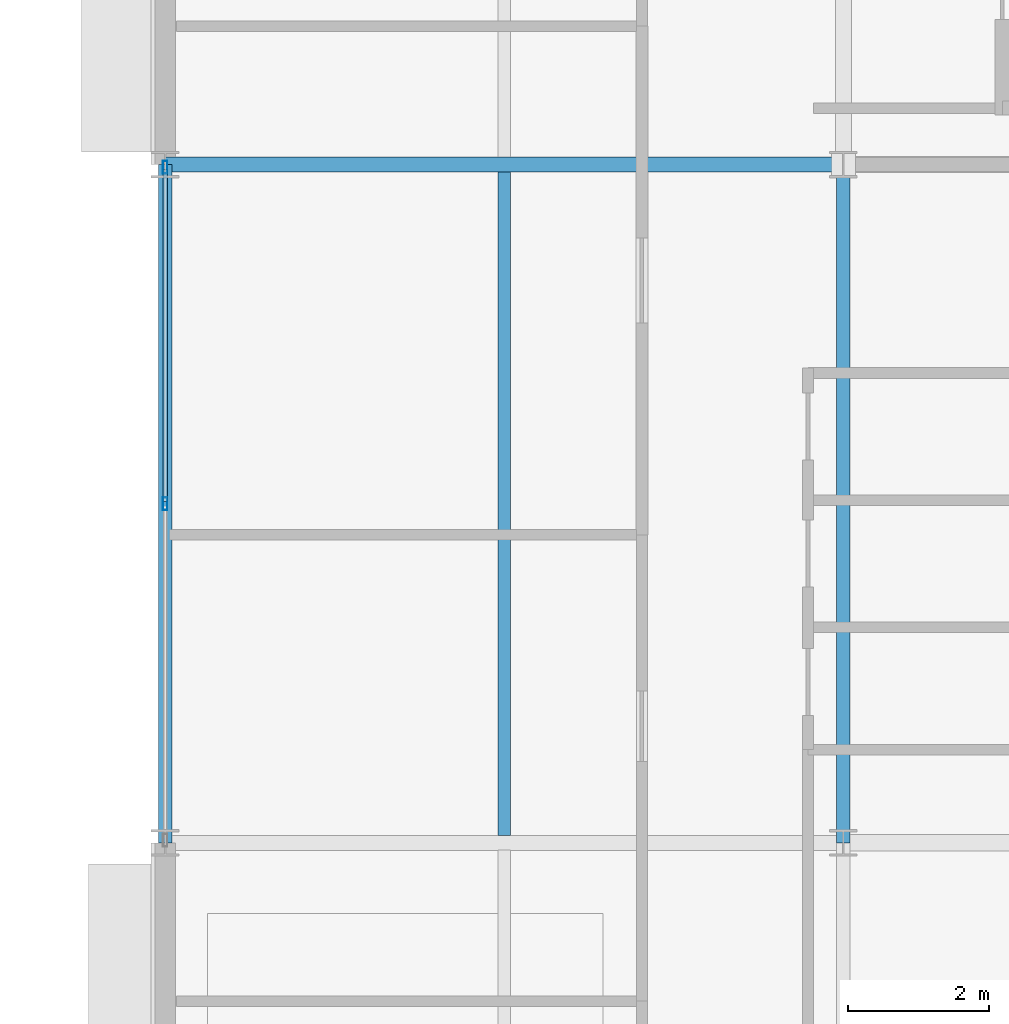
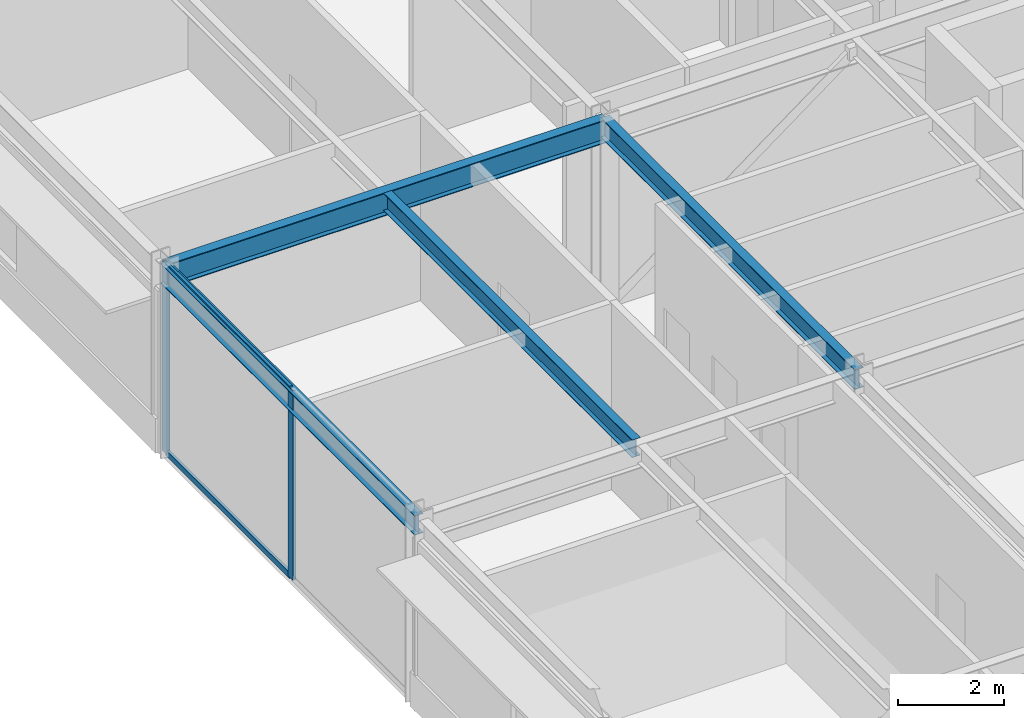
# One storey, part 71 of 116: 4 beams, 4 members, 1 element without a shape of its own.
"""IFC4 building model written with IfcOpenShell, lengths in metres."""

from ifc_helpers import new_model, si_unit, direction, frame, origin, origin_2d, place, context, subcontext, project, spatial, hollow_rectangle, i_section, extrude, material, material_profile, profile_set, type_object, element, aggregate, save


model = new_model("IFC4")

# Units and contexts
model_context = context("Model", 3, precision=1e-05, world=origin(), true_north=direction((0.0, 1.0)))
body_context = subcontext(model_context, "Body", "Model", "MODEL_VIEW")
ifc_project = project(units=[si_unit("LENGTHUNIT", "METRE"), si_unit("AREAUNIT", "SQUARE_METRE"), si_unit("VOLUMEUNIT", "CUBIC_METRE"), si_unit("PLANEANGLEUNIT", "RADIAN"), si_unit("MASSUNIT", "GRAM", prefix="KILO")], contexts=[model_context])

# Site, building, storey
site_placement = place(None, origin())
site = spatial("IfcSite", under=ifc_project, at=site_placement, CompositionType="ELEMENT")
building_placement = place(site_placement, origin())
building = spatial("IfcBuilding", under=site, at=building_placement, Name="Almandine Court Research Institute", CompositionType="ELEMENT")
storey_placement = place(building_placement, frame((0.0, 0.0, 14.35009765625)))
storey = spatial("IfcBuildingStorey", under=building, at=storey_placement, Name="L03", CompositionType="ELEMENT", Elevation=14.35009765625)

# Beams
ifc_material_1 = material(Name="Steel ASTM A992 Grade 50", Category="steel")
ifc_material_profile_1 = material_profile(ifc_material_1, i_section(OverallWidth=0.18994140625, OverallDepth=0.45703125, WebThickness=0.009033203125, FlangeThickness=0.014892578125, at=origin_2d()), Name="W460x74")
ifc_profile_set_1 = profile_set([ifc_material_profile_1], Name="Steel ASTM A992 Grade 50")
beam_type_1 = type_object("IfcBeamType", Name="Beam-B-01", PredefinedType="BEAM", material=ifc_profile_set_1)
for number, where, z_axis, x_axis, name in (
    (1, (153.60009765625, 34.800048828125, 4.140869140625), (0.0, 1.0, 0.0), (-1.0, 0.0, 0.0), "L03 V4 Primary Y Girder"),
    (2, (163.199951171875, 34.800048828125, 4.140869140625), (0.0, 1.0, 0.0), (-1.0, 0.0, 0.0), "L03 V4 Primary Y Girder"),
):
    element("IfcBeam", number, at=place(storey_placement, frame(where, z_axis=z_axis, x_axis=x_axis)), inside=storey, type_object=beam_type_1, Name=name, PredefinedType="BEAM", context=body_context, shape_type="SweptSolid", body=[
        extrude(i_section(OverallWidth=0.18994140625, OverallDepth=0.45703125, WebThickness=0.009033203125, FlangeThickness=0.014892578125, at=origin_2d()), origin(), (0.0, 0.0, 1.0), 9.599853515625),
    ])
ifc_material_profile_2 = material_profile(ifc_material_1, i_section(OverallWidth=0.178955078125, OverallDepth=0.409912109375, WebThickness=0.009033203125, FlangeThickness=0.013916015625, at=origin_2d()), Name="W410x67")
ifc_profile_set_2 = profile_set([ifc_material_profile_2], Name="Steel ASTM A992 Grade 50")
beam_type_2 = type_object("IfcBeamType", Name="Beam-B-02", PredefinedType="JOIST", material=ifc_profile_set_2)
beam_1_placement = place(storey_placement, frame((158.39990234375, 34.903076171875, 4.164794921875), z_axis=(0.0, 1.0, 0.0), x_axis=(-1.0, 0.0, 0.0)))
element("IfcBeam", 3, at=beam_1_placement, inside=storey, type_object=beam_type_2, Name="L03 V4 Composite Secondary Beam", PredefinedType="JOIST", context=body_context, shape_type="SweptSolid", body=[
    extrude(i_section(OverallWidth=0.178955078125, OverallDepth=0.409912109375, WebThickness=0.009033203125, FlangeThickness=0.013916015625, at=origin_2d()), origin(), (0.0, 0.0, 1.0), 9.39404296875),
])
ifc_material_profile_3 = material_profile(ifc_material_1, i_section(OverallWidth=0.2109375, OverallDepth=0.5390625, WebThickness=0.011962890625, FlangeThickness=0.01904296875, at=origin_2d()), Name="W530x109")
ifc_profile_set_3 = profile_set([ifc_material_profile_3], Name="Steel ASTM A992 Grade 50")
beam_type_3 = type_object("IfcBeamType", Name="Beam-G-04", PredefinedType="BEAM", material=ifc_profile_set_3)
beam_2_placement = place(storey_placement, frame((153.60009765625, 44.39990234375, 4.099853515625), z_axis=(1.0, 0.0, 0.0), x_axis=(0.0, 1.0, 0.0)))
element("IfcBeam", 4, at=beam_2_placement, inside=storey, type_object=beam_type_3, Name="L03 V4 Primary X Girder", PredefinedType="BEAM", context=body_context, shape_type="SweptSolid", body=[
    extrude(i_section(OverallWidth=0.2109375, OverallDepth=0.5390625, WebThickness=0.011962890625, FlangeThickness=0.01904296875, at=origin_2d()), origin(), (0.0, 0.0, 1.0), 9.599853515625),
])

# Curtain wall, members
ifc_material_2 = material(Name="Unitised Curtain Wall Framing and Solar Glazing", Category="glass")
curtain_wall_type = type_object("IfcCurtainWallType", Name="CW-CWJ-02", PredefinedType="USERDEFINED", material=ifc_material_2)
curtain_wall_placement = place(storey_placement, origin())
curtain_wall = element("IfcCurtainWall", 5, at=curtain_wall_placement, inside=storey, type_object=curtain_wall_type, Name="L03 Wet Lab West Courtyard Jali Curtain Wall 4", ObjectType="SOLAR JALI SCREEN", PredefinedType="USERDEFINED")
ifc_material_3 = material(Name="Anodised Aluminium AW-6063-T6", Category="aluminium")
ifc_material_profile_4 = material_profile(ifc_material_3, hollow_rectangle(XDim=0.06494140625, YDim=0.179931640625, WallThickness=0.00390625, at=origin_2d()), Name="ALU RHS 65x180x4")
ifc_profile_set_4 = profile_set([ifc_material_profile_4], Name="Anodised Aluminium AW-6063-T6")
member_type_1 = type_object("IfcMemberType", Name="CWMul-65x180", PredefinedType="MULLION", material=ifc_profile_set_4)
member_1_placement = place(storey_placement, frame((153.60009765625, 39.60009765625, 0.0), z_axis=(0.0, 0.0, 1.0), x_axis=(-1.0, 0.0, 0.0)))
member_1 = element("IfcMember", 6, at=member_1_placement, type_object=member_type_1, Name="CWJ-02 mullion 2", PredefinedType="MULLION", context=body_context, shape_type="SweptSolid", body=[
    extrude(hollow_rectangle(XDim=0.06494140625, YDim=0.179931640625, WallThickness=0.00390625, at=origin_2d()), origin(), (0.0, 0.0, 1.0), 4.369873046875),
])
member_2_placement = place(storey_placement, frame((153.60009765625, 44.363525390625, 0.0), z_axis=(0.0, 0.0, 1.0), x_axis=(-1.0, 0.0, 0.0)))
member_2 = element("IfcMember", 7, at=member_2_placement, type_object=member_type_1, Name="CWJ-02 mullion 3", PredefinedType="MULLION", context=body_context, shape_type="SweptSolid", body=[
    extrude(hollow_rectangle(XDim=0.06494140625, YDim=0.179931640625, WallThickness=0.00390625, at=origin_2d()), origin(), (0.0, 0.0, 1.0), 4.369873046875),
])
ifc_material_profile_5 = material_profile(ifc_material_3, hollow_rectangle(XDim=0.06494140625, YDim=0.1298828125, WallThickness=0.00390625, at=origin_2d()), Name="ALU RHS 65x130x4")
ifc_profile_set_5 = profile_set([ifc_material_profile_5], Name="Anodised Aluminium AW-6063-T6")
member_type_2 = type_object("IfcMemberType", Name="CWTrn-65x130", PredefinedType="NOTDEFINED", material=ifc_profile_set_5)
member_3_placement = place(storey_placement, frame((153.60009765625, 39.632568359375, 0.032470703125), z_axis=(0.0, 1.0, 0.0), x_axis=(-1.0, 0.0, 0.0)))
member_3 = element("IfcMember", 8, at=member_3_placement, type_object=member_type_2, Name="CWJ-02 transom 2.1", ObjectType="TRANSOM", PredefinedType="USERDEFINED", context=body_context, shape_type="SweptSolid", body=[
    extrude(hollow_rectangle(XDim=0.06494140625, YDim=0.1298828125, WallThickness=0.00390625, at=origin_2d()), origin(), (0.0, 0.0, 1.0), 4.698486328125),
])
member_4_placement = place(storey_placement, frame((153.60009765625, 39.632568359375, 4.33740234375), z_axis=(0.0, 1.0, 0.0), x_axis=(-1.0, 0.0, 0.0)))
member_4 = element("IfcMember", 9, at=member_4_placement, type_object=member_type_2, Name="CWJ-02 transom 2.2", ObjectType="TRANSOM", PredefinedType="USERDEFINED", context=body_context, shape_type="SweptSolid", body=[
    extrude(hollow_rectangle(XDim=0.06494140625, YDim=0.1298828125, WallThickness=0.00390625, at=origin_2d()), origin(), (0.0, 0.0, 1.0), 4.698486328125),
])
aggregate(curtain_wall, [member_1, member_2, member_3, member_4])

save(model, "model.ifc")
